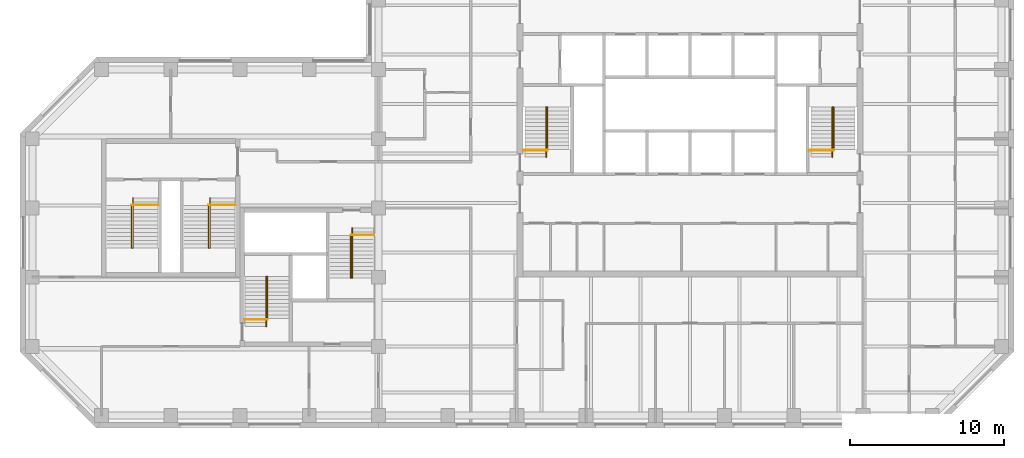
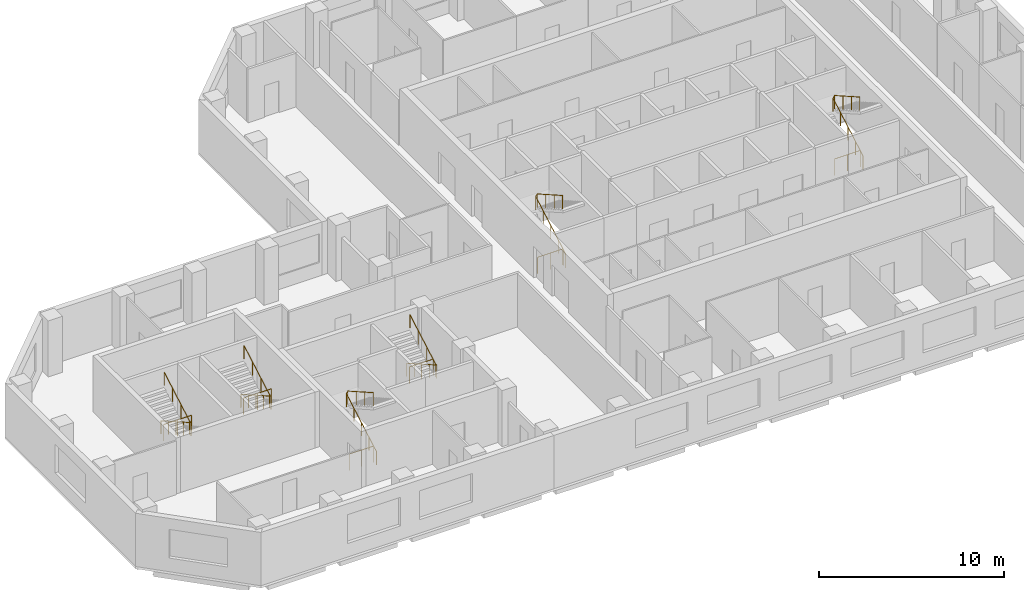
# One storey, part 9 of 9: 12 railings.
"""IFC4 building model written with IfcOpenShell, lengths in metres."""

from ifc_helpers import new_model, si_unit, direction, frame, origin, origin_2d, place, context, subcontext, project, spatial, circle, extrude, material, type_object, element, save


model = new_model("IFC4")

# Units and contexts
model_context = context("Model", 3, precision=1e-05, world=origin(), true_north=direction((0.0, 1.0)))
body_context = subcontext(model_context, "Body", "Model", "MODEL_VIEW")
ifc_project = project(units=[si_unit("LENGTHUNIT", "METRE"), si_unit("AREAUNIT", "SQUARE_METRE"), si_unit("VOLUMEUNIT", "CUBIC_METRE"), si_unit("PLANEANGLEUNIT", "RADIAN"), si_unit("MASSUNIT", "GRAM", prefix="KILO")], contexts=[model_context])

# Site, building, storey
site_placement = place(None, origin())
site = spatial("IfcSite", under=ifc_project, at=site_placement, CompositionType="ELEMENT")
building_placement = place(site_placement, origin())
building = spatial("IfcBuilding", under=site, at=building_placement, Name="Quoin Convention Tower", CompositionType="ELEMENT")
storey_placement = place(building_placement, frame((0.0, 0.0, 147.699951171875)))
storey = spatial("IfcBuildingStorey", under=building, at=storey_placement, Name="L38", CompositionType="ELEMENT", Elevation=147.699951171875)

# Railings
ifc_material = material(Name="Stainless steel", Category="steel")
railing_type_1 = type_object("IfcRailingType", Name="Stair handrail 900", PredefinedType="HANDRAIL", material=ifc_material)
railing_1_placement = place(storey_placement, frame((46.905029296875, 57.300048828125, 0.142333984375)))
element("IfcRailing", 1, at=railing_1_placement, inside=storey, type_object=railing_type_1, Name="SD1 handrail 1", PredefinedType="HANDRAIL", context=body_context, shape_type="SweptSolid", body=[
    extrude(circle(Radius=0.02392578125, at=origin_2d()), frame((0.0, 0.0, 0.8759765625), z_axis=(0.0, 0.869053504361, 0.494718108177), x_axis=(-1.0, 0.0, 0.0)), (0.0, 0.0, 1.0), 3.73974609375),
    extrude(circle(Radius=0.02392578125, at=origin_2d()), frame((0.0, 3.25, 2.72607421875), z_axis=(0.53481069233, 0.0, 0.844971906852), x_axis=(0.0, 1.0, 0.0)), (0.0, 0.0, 1.0), 0.16845703125),
    extrude(circle(Radius=0.02392578125, at=origin_2d()), frame((0.090087890625, 3.25, 2.8681640625), z_axis=(0.0, -0.869091777644, 0.494650868828), x_axis=(1.0, 0.0, 0.0)), (0.0, 0.0, 1.0), 3.164306640625),
    extrude(circle(Radius=0.02099609375, at=origin_2d()), origin(), (0.0, 0.0, 1.0), 0.851806640625),
    extrude(circle(Radius=0.02099609375, at=origin_2d()), frame((0.0, 0.8125, 0.46240234375)), (0.0, 0.0, 1.0), 0.851806640625),
    extrude(circle(Radius=0.02099609375, at=origin_2d()), frame((0.0, 1.625, 0.925048828125)), (0.0, 0.0, 1.0), 0.851806640625),
    extrude(circle(Radius=0.02099609375, at=origin_2d()), frame((0.0, 2.4375, 1.3876953125)), (0.0, 0.0, 1.0), 0.851806640625),
    extrude(circle(Radius=0.02099609375, at=origin_2d()), frame((0.0, 3.25, 1.85009765625)), (0.0, 0.0, 1.0), 0.851806640625),
    extrude(circle(Radius=0.02099609375, at=origin_2d()), frame((0.090087890625, 3.25, 1.992431640625)), (0.0, 0.0, 1.0), 0.851806640625),
    extrude(circle(Radius=0.02099609375, at=origin_2d()), frame((0.090087890625, 2.333251953125, 2.51416015625)), (0.0, 0.0, 1.0), 0.851806640625),
    extrude(circle(Radius=0.02099609375, at=origin_2d()), frame((0.090087890625, 1.416748046875, 3.035888671875)), (0.0, 0.0, 1.0), 0.851806640625),
    extrude(circle(Radius=0.02099609375, at=origin_2d()), frame((0.090087890625, 0.5, 3.5576171875)), (0.0, 0.0, 1.0), 0.851806640625),
])
railing_2_placement = place(storey_placement, frame((65.5048828125, 57.300048828125, 0.142333984375)))
element("IfcRailing", 2, at=railing_2_placement, inside=storey, type_object=railing_type_1, Name="SD2 handrail 1", PredefinedType="HANDRAIL", context=body_context, shape_type="SweptSolid", body=[
    extrude(circle(Radius=0.02392578125, at=origin_2d()), frame((0.0, 0.0, 0.8759765625), z_axis=(0.0, 0.869053504361, 0.494718108177), x_axis=(-1.0, 0.0, 0.0)), (0.0, 0.0, 1.0), 3.73974609375),
    extrude(circle(Radius=0.02392578125, at=origin_2d()), frame((0.0, 3.25, 2.72607421875), z_axis=(0.53481069233, 0.0, 0.844971906852), x_axis=(0.0, 1.0, 0.0)), (0.0, 0.0, 1.0), 0.16845703125),
    extrude(circle(Radius=0.02392578125, at=origin_2d()), frame((0.090087890625, 3.25, 2.8681640625), z_axis=(0.0, -0.869091777644, 0.494650868828), x_axis=(1.0, 0.0, 0.0)), (0.0, 0.0, 1.0), 3.164306640625),
    extrude(circle(Radius=0.02099609375, at=origin_2d()), origin(), (0.0, 0.0, 1.0), 0.851806640625),
    extrude(circle(Radius=0.02099609375, at=origin_2d()), frame((0.0, 0.8125, 0.46240234375)), (0.0, 0.0, 1.0), 0.851806640625),
    extrude(circle(Radius=0.02099609375, at=origin_2d()), frame((0.0, 1.625, 0.925048828125)), (0.0, 0.0, 1.0), 0.851806640625),
    extrude(circle(Radius=0.02099609375, at=origin_2d()), frame((0.0, 2.4375, 1.3876953125)), (0.0, 0.0, 1.0), 0.851806640625),
    extrude(circle(Radius=0.02099609375, at=origin_2d()), frame((0.0, 3.25, 1.85009765625)), (0.0, 0.0, 1.0), 0.851806640625),
    extrude(circle(Radius=0.02099609375, at=origin_2d()), frame((0.090087890625, 3.25, 1.992431640625)), (0.0, 0.0, 1.0), 0.851806640625),
    extrude(circle(Radius=0.02099609375, at=origin_2d()), frame((0.090087890625, 2.333251953125, 2.51416015625)), (0.0, 0.0, 1.0), 0.851806640625),
    extrude(circle(Radius=0.02099609375, at=origin_2d()), frame((0.090087890625, 1.416748046875, 3.035888671875)), (0.0, 0.0, 1.0), 0.851806640625),
    extrude(circle(Radius=0.02099609375, at=origin_2d()), frame((0.090087890625, 0.5, 3.5576171875)), (0.0, 0.0, 1.0), 0.851806640625),
])
railing_3_placement = place(storey_placement, frame((28.705078125, 46.300048828125, 0.142333984375)))
element("IfcRailing", 3, at=railing_3_placement, inside=storey, type_object=railing_type_1, Name="SD3 handrail 1", PredefinedType="HANDRAIL", context=body_context, shape_type="SweptSolid", body=[
    extrude(circle(Radius=0.02392578125, at=origin_2d()), frame((0.0, 0.0, 0.8759765625), z_axis=(0.0, 0.869053504361, 0.494718108177), x_axis=(-1.0, 0.0, 0.0)), (0.0, 0.0, 1.0), 3.73974609375),
    extrude(circle(Radius=0.02392578125, at=origin_2d()), frame((0.0, 3.25, 2.72607421875), z_axis=(0.533774684331, 0.0, 0.845626741753), x_axis=(0.0, 1.0, 0.0)), (0.0, 0.0, 1.0), 0.168212890625),
    extrude(circle(Radius=0.02392578125, at=origin_2d()), frame((0.08984375, 3.25, 2.8681640625), z_axis=(0.0, -0.869091777644, 0.494650868828), x_axis=(1.0, 0.0, 0.0)), (0.0, 0.0, 1.0), 3.164306640625),
    extrude(circle(Radius=0.02099609375, at=origin_2d()), origin(), (0.0, 0.0, 1.0), 0.851806640625),
    extrude(circle(Radius=0.02099609375, at=origin_2d()), frame((0.0, 0.8125, 0.46240234375)), (0.0, 0.0, 1.0), 0.851806640625),
    extrude(circle(Radius=0.02099609375, at=origin_2d()), frame((0.0, 1.625, 0.925048828125)), (0.0, 0.0, 1.0), 0.851806640625),
    extrude(circle(Radius=0.02099609375, at=origin_2d()), frame((0.0, 2.4375, 1.3876953125)), (0.0, 0.0, 1.0), 0.851806640625),
    extrude(circle(Radius=0.02099609375, at=origin_2d()), frame((0.0, 3.25, 1.85009765625)), (0.0, 0.0, 1.0), 0.851806640625),
    extrude(circle(Radius=0.02099609375, at=origin_2d()), frame((0.08984375, 3.25, 1.992431640625)), (0.0, 0.0, 1.0), 0.851806640625),
    extrude(circle(Radius=0.02099609375, at=origin_2d()), frame((0.08984375, 2.333251953125, 2.51416015625)), (0.0, 0.0, 1.0), 0.851806640625),
    extrude(circle(Radius=0.02099609375, at=origin_2d()), frame((0.08984375, 1.416748046875, 3.035888671875)), (0.0, 0.0, 1.0), 0.851806640625),
    extrude(circle(Radius=0.02099609375, at=origin_2d()), frame((0.08984375, 0.5, 3.5576171875)), (0.0, 0.0, 1.0), 0.851806640625),
])
railing_4_placement = place(storey_placement, frame((34.294921875, 52.699951171875, 0.142333984375)))
element("IfcRailing", 4, at=railing_4_placement, inside=storey, type_object=railing_type_1, Name="SD4 handrail 1", PredefinedType="HANDRAIL", context=body_context, shape_type="SweptSolid", body=[
    extrude(circle(Radius=0.02392578125, at=origin_2d()), frame((0.0, 0.0, 0.8759765625), z_axis=(0.0, -0.869053504361, 0.494718108177), x_axis=(1.0, 0.0, 0.0)), (0.0, 0.0, 1.0), 3.73974609375),
    extrude(circle(Radius=0.02392578125, at=origin_2d()), frame((0.0, -3.25, 2.72607421875), z_axis=(-0.533774684331, 0.0, 0.845626741753), x_axis=(0.0, -1.0, 0.0)), (0.0, 0.0, 1.0), 0.168212890625),
    extrude(circle(Radius=0.02392578125, at=origin_2d()), frame((-0.08984375, -3.25, 2.8681640625), z_axis=(0.0, 0.869091777644, 0.494650868828), x_axis=(-1.0, 0.0, 0.0)), (0.0, 0.0, 1.0), 3.164306640625),
    extrude(circle(Radius=0.02099609375, at=origin_2d()), origin(), (0.0, 0.0, 1.0), 0.851806640625),
    extrude(circle(Radius=0.02099609375, at=origin_2d()), frame((0.0, -0.8125, 0.46240234375)), (0.0, 0.0, 1.0), 0.851806640625),
    extrude(circle(Radius=0.02099609375, at=origin_2d()), frame((0.0, -1.625, 0.925048828125)), (0.0, 0.0, 1.0), 0.851806640625),
    extrude(circle(Radius=0.02099609375, at=origin_2d()), frame((0.0, -2.4375, 1.3876953125)), (0.0, 0.0, 1.0), 0.851806640625),
    extrude(circle(Radius=0.02099609375, at=origin_2d()), frame((0.0, -3.25, 1.85009765625)), (0.0, 0.0, 1.0), 0.851806640625),
    extrude(circle(Radius=0.02099609375, at=origin_2d()), frame((-0.08984375, -3.25, 1.992431640625)), (0.0, 0.0, 1.0), 0.851806640625),
    extrude(circle(Radius=0.02099609375, at=origin_2d()), frame((-0.08984375, -2.333251953125, 2.51416015625)), (0.0, 0.0, 1.0), 0.851806640625),
    extrude(circle(Radius=0.02099609375, at=origin_2d()), frame((-0.08984375, -1.416748046875, 3.035888671875)), (0.0, 0.0, 1.0), 0.851806640625),
    extrude(circle(Radius=0.02099609375, at=origin_2d()), frame((-0.08984375, -0.5, 3.5576171875)), (0.0, 0.0, 1.0), 0.851806640625),
])
railing_5_placement = place(storey_placement, frame((20.044921875, 54.64990234375, 0.142333984375)))
element("IfcRailing", 5, at=railing_5_placement, inside=storey, type_object=railing_type_1, Name="SD11 handrail 1", PredefinedType="HANDRAIL", context=body_context, shape_type="SweptSolid", body=[
    extrude(circle(Radius=0.02392578125, at=origin_2d()), frame((0.0, 0.0, 0.8759765625), z_axis=(0.0, -0.869053504361, 0.494718108177), x_axis=(1.0, 0.0, 0.0)), (0.0, 0.0, 1.0), 3.73974609375),
    extrude(circle(Radius=0.02392578125, at=origin_2d()), frame((0.0, -3.25, 2.72607421875), z_axis=(-0.533774684331, 0.0, 0.845626741753), x_axis=(0.0, -1.0, 0.0)), (0.0, 0.0, 1.0), 0.168212890625),
    extrude(circle(Radius=0.02392578125, at=origin_2d()), frame((-0.08984375, -3.25, 2.8681640625), z_axis=(0.0, 0.869091777644, 0.494650868828), x_axis=(-1.0, 0.0, 0.0)), (0.0, 0.0, 1.0), 3.164306640625),
    extrude(circle(Radius=0.02099609375, at=origin_2d()), origin(), (0.0, 0.0, 1.0), 0.851806640625),
    extrude(circle(Radius=0.02099609375, at=origin_2d()), frame((0.0, -0.8125, 0.46240234375)), (0.0, 0.0, 1.0), 0.851806640625),
    extrude(circle(Radius=0.02099609375, at=origin_2d()), frame((0.0, -1.625, 0.925048828125)), (0.0, 0.0, 1.0), 0.851806640625),
    extrude(circle(Radius=0.02099609375, at=origin_2d()), frame((0.0, -2.4375, 1.3876953125)), (0.0, 0.0, 1.0), 0.851806640625),
    extrude(circle(Radius=0.02099609375, at=origin_2d()), frame((0.0, -3.25, 1.85009765625)), (0.0, 0.0, 1.0), 0.851806640625),
    extrude(circle(Radius=0.02099609375, at=origin_2d()), frame((-0.08984375, -3.25, 1.992431640625)), (0.0, 0.0, 1.0), 0.851806640625),
    extrude(circle(Radius=0.02099609375, at=origin_2d()), frame((-0.08984375, -2.333251953125, 2.51416015625)), (0.0, 0.0, 1.0), 0.851806640625),
    extrude(circle(Radius=0.02099609375, at=origin_2d()), frame((-0.08984375, -1.416748046875, 3.035888671875)), (0.0, 0.0, 1.0), 0.851806640625),
    extrude(circle(Radius=0.02099609375, at=origin_2d()), frame((-0.08984375, -0.5, 3.5576171875)), (0.0, 0.0, 1.0), 0.851806640625),
])
railing_6_placement = place(storey_placement, frame((25.044921875, 54.64990234375, 0.142333984375)))
element("IfcRailing", 6, at=railing_6_placement, inside=storey, type_object=railing_type_1, Name="SD12 handrail 1", PredefinedType="HANDRAIL", context=body_context, shape_type="SweptSolid", body=[
    extrude(circle(Radius=0.02392578125, at=origin_2d()), frame((0.0, 0.0, 0.8759765625), z_axis=(0.0, -0.869053504361, 0.494718108177), x_axis=(1.0, 0.0, 0.0)), (0.0, 0.0, 1.0), 3.73974609375),
    extrude(circle(Radius=0.02392578125, at=origin_2d()), frame((0.0, -3.25, 2.72607421875), z_axis=(-0.533774684331, 0.0, 0.845626741753), x_axis=(0.0, -1.0, 0.0)), (0.0, 0.0, 1.0), 0.168212890625),
    extrude(circle(Radius=0.02392578125, at=origin_2d()), frame((-0.08984375, -3.25, 2.8681640625), z_axis=(0.0, 0.869091777644, 0.494650868828), x_axis=(-1.0, 0.0, 0.0)), (0.0, 0.0, 1.0), 3.164306640625),
    extrude(circle(Radius=0.02099609375, at=origin_2d()), origin(), (0.0, 0.0, 1.0), 0.851806640625),
    extrude(circle(Radius=0.02099609375, at=origin_2d()), frame((0.0, -0.8125, 0.46240234375)), (0.0, 0.0, 1.0), 0.851806640625),
    extrude(circle(Radius=0.02099609375, at=origin_2d()), frame((0.0, -1.625, 0.925048828125)), (0.0, 0.0, 1.0), 0.851806640625),
    extrude(circle(Radius=0.02099609375, at=origin_2d()), frame((0.0, -2.4375, 1.3876953125)), (0.0, 0.0, 1.0), 0.851806640625),
    extrude(circle(Radius=0.02099609375, at=origin_2d()), frame((0.0, -3.25, 1.85009765625)), (0.0, 0.0, 1.0), 0.851806640625),
    extrude(circle(Radius=0.02099609375, at=origin_2d()), frame((-0.08984375, -3.25, 1.992431640625)), (0.0, 0.0, 1.0), 0.851806640625),
    extrude(circle(Radius=0.02099609375, at=origin_2d()), frame((-0.08984375, -2.333251953125, 2.51416015625)), (0.0, 0.0, 1.0), 0.851806640625),
    extrude(circle(Radius=0.02099609375, at=origin_2d()), frame((-0.08984375, -1.416748046875, 3.035888671875)), (0.0, 0.0, 1.0), 0.851806640625),
    extrude(circle(Radius=0.02099609375, at=origin_2d()), frame((-0.08984375, -0.5, 3.5576171875)), (0.0, 0.0, 1.0), 0.851806640625),
])
railing_type_2 = type_object("IfcRailingType", Name="Stair top guard 1100", PredefinedType="GUARDRAIL", material=ifc_material)
railing_7_placement = place(storey_placement, frame((45.39990234375, 57.75, 0.0)))
element("IfcRailing", 7, at=railing_7_placement, inside=storey, type_object=railing_type_2, Name="SD1 top guard", PredefinedType="GUARDRAIL", context=body_context, shape_type="SweptSolid", body=[
    extrude(circle(Radius=0.02392578125, at=origin_2d()), frame((0.0, 0.0, 1.076171875), z_axis=(1.0, 0.0, 0.0), x_axis=(0.0, 1.0, 0.0)), (0.0, 0.0, 1.0), 1.59521484375),
    extrude(circle(Radius=0.02099609375, at=origin_2d()), origin(), (0.0, 0.0, 1.0), 1.052001953125),
    extrude(circle(Radius=0.02099609375, at=origin_2d()), frame((0.797607421875, 0.0, 0.0)), (0.0, 0.0, 1.0), 1.052001953125),
    extrude(circle(Radius=0.02099609375, at=origin_2d()), frame((1.59521484375, 0.0, 0.0)), (0.0, 0.0, 1.0), 1.052001953125),
])
railing_8_placement = place(storey_placement, frame((64.0, 57.75, 0.0)))
element("IfcRailing", 8, at=railing_8_placement, inside=storey, type_object=railing_type_2, Name="SD2 top guard", PredefinedType="GUARDRAIL", context=body_context, shape_type="SweptSolid", body=[
    extrude(circle(Radius=0.02392578125, at=origin_2d()), frame((0.0, 0.0, 1.076171875), z_axis=(1.0, 0.0, 0.0), x_axis=(0.0, 1.0, 0.0)), (0.0, 0.0, 1.0), 1.594970703125),
    extrude(circle(Radius=0.02099609375, at=origin_2d()), origin(), (0.0, 0.0, 1.0), 1.052001953125),
    extrude(circle(Radius=0.02099609375, at=origin_2d()), frame((0.79736328125, 0.0, 0.0)), (0.0, 0.0, 1.0), 1.052001953125),
    extrude(circle(Radius=0.02099609375, at=origin_2d()), frame((1.594970703125, 0.0, 0.0)), (0.0, 0.0, 1.0), 1.052001953125),
])
railing_9_placement = place(storey_placement, frame((27.300048828125, 46.75, 0.0)))
element("IfcRailing", 9, at=railing_9_placement, inside=storey, type_object=railing_type_2, Name="SD3 top guard", PredefinedType="GUARDRAIL", context=body_context, shape_type="SweptSolid", body=[
    extrude(circle(Radius=0.02392578125, at=origin_2d()), frame((0.0, 0.0, 1.076171875), z_axis=(1.0, 0.0, 0.0), x_axis=(0.0, 1.0, 0.0)), (0.0, 0.0, 1.0), 1.494873046875),
    extrude(circle(Radius=0.02099609375, at=origin_2d()), origin(), (0.0, 0.0, 1.0), 1.052001953125),
    extrude(circle(Radius=0.02099609375, at=origin_2d()), frame((0.74755859375, 0.0, 0.0)), (0.0, 0.0, 1.0), 1.052001953125),
    extrude(circle(Radius=0.02099609375, at=origin_2d()), frame((1.494873046875, 0.0, 0.0)), (0.0, 0.0, 1.0), 1.052001953125),
])
railing_10_placement = place(storey_placement, frame((35.699951171875, 52.25, 0.0)))
element("IfcRailing", 10, at=railing_10_placement, inside=storey, type_object=railing_type_2, Name="SD4 top guard", PredefinedType="GUARDRAIL", context=body_context, shape_type="SweptSolid", body=[
    extrude(circle(Radius=0.02392578125, at=origin_2d()), frame((0.0, 0.0, 1.076171875), z_axis=(-1.0, 0.0, 0.0), x_axis=(0.0, -1.0, 0.0)), (0.0, 0.0, 1.0), 1.494873046875),
    extrude(circle(Radius=0.02099609375, at=origin_2d()), origin(), (0.0, 0.0, 1.0), 1.052001953125),
    extrude(circle(Radius=0.02099609375, at=origin_2d()), frame((-0.74755859375, 0.0, 0.0)), (0.0, 0.0, 1.0), 1.052001953125),
    extrude(circle(Radius=0.02099609375, at=origin_2d()), frame((-1.494873046875, 0.0, 0.0)), (0.0, 0.0, 1.0), 1.052001953125),
])
for number, where, name in (
    (11, (21.699951171875, 54.199951171875, 0.0), "SD11 top guard"),
    (12, (26.699951171875, 54.199951171875, 0.0), "SD12 top guard"),
):
    element("IfcRailing", number, at=place(storey_placement, frame(where)), inside=storey, type_object=railing_type_2, Name=name, PredefinedType="GUARDRAIL", context=body_context, shape_type="SweptSolid", body=[
        extrude(circle(Radius=0.02392578125, at=origin_2d()), frame((0.0, 0.0, 1.076171875), z_axis=(-1.0, 0.0, 0.0), x_axis=(0.0, -1.0, 0.0)), (0.0, 0.0, 1.0), 1.744873046875),
        extrude(circle(Radius=0.02099609375, at=origin_2d()), origin(), (0.0, 0.0, 1.0), 1.052001953125),
        extrude(circle(Radius=0.02099609375, at=origin_2d()), frame((-0.87255859375, 0.0, 0.0)), (0.0, 0.0, 1.0), 1.052001953125),
        extrude(circle(Radius=0.02099609375, at=origin_2d()), frame((-1.744873046875, 0.0, 0.0)), (0.0, 0.0, 1.0), 1.052001953125),
    ])

save(model, "model.ifc")
